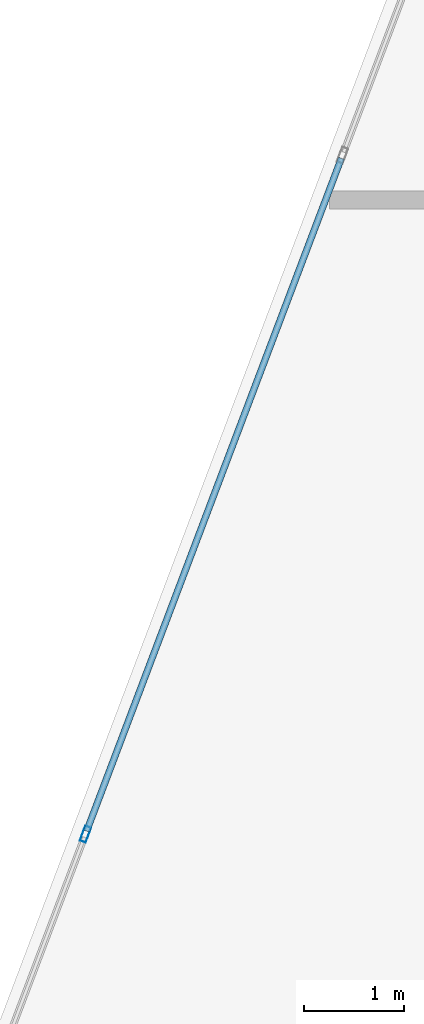
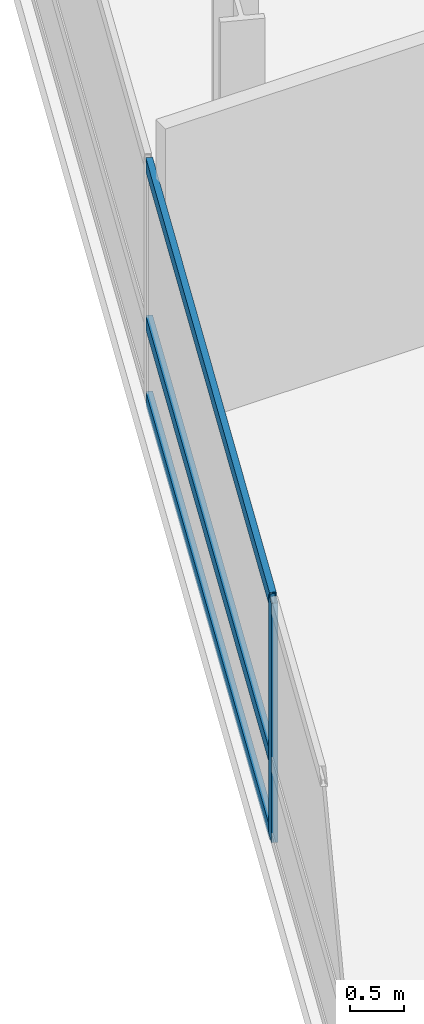
# One storey, part 6 of 25: 4 members, 1 element without a shape of its own.
"""IFC4 building model written with IfcOpenShell, lengths in metres."""

from ifc_helpers import new_model, si_unit, direction, frame, origin, origin_2d, place, context, subcontext, project, spatial, hollow_rectangle, extrude, material, layer, layer_set, material_profile, profile_set, type_object, element, aggregate, save


model = new_model("IFC4")

# Units and contexts
model_context = context("Model", 3, precision=1e-05, world=origin(), true_north=direction((0.0, 1.0)))
body_context = subcontext(model_context, "Body", "Model", "MODEL_VIEW")
ifc_project = project(units=[si_unit("LENGTHUNIT", "METRE"), si_unit("AREAUNIT", "SQUARE_METRE"), si_unit("VOLUMEUNIT", "CUBIC_METRE"), si_unit("PLANEANGLEUNIT", "RADIAN"), si_unit("MASSUNIT", "GRAM", prefix="KILO")], contexts=[model_context])

# Site, building, storey
site_placement = place(None, origin())
site = spatial("IfcSite", under=ifc_project, at=site_placement, CompositionType="ELEMENT")
building_placement = place(site_placement, origin())
building = spatial("IfcBuilding", under=site, at=building_placement, Name="Varnelok Gate Tower", CompositionType="ELEMENT")
storey_placement = place(building_placement, frame((0.0, 0.0, 83.60009765625)))
storey = spatial("IfcBuildingStorey", under=building, at=storey_placement, Name="L20", CompositionType="ELEMENT", Elevation=83.60009765625)

# Curtain wall, members
ifc_material = material(Name="Anodized Aluminum Alloy 6063-T6", Category="aluminium")
ifc_layer = layer(ifc_material, 0.179931640625)
ifc_layer_set = layer_set([ifc_layer], Name="Anodized Aluminum Alloy 6063-T6")
curtain_wall_type = type_object("IfcCurtainWallType", Name="CW3-HOTEL-VISION", PredefinedType="USERDEFINED", material=ifc_layer_set)
curtain_wall_placement = place(storey_placement, origin())
curtain_wall = element("IfcCurtainWall", 1, at=curtain_wall_placement, inside=storey, type_object=curtain_wall_type, Name="L20 West End Vision Curtain Wall", ObjectType="UNITISED CURTAIN WALL", PredefinedType="USERDEFINED")
ifc_material_profile_1 = material_profile(ifc_material, hollow_rectangle(XDim=0.06494140625, YDim=0.159912109375, WallThickness=0.00390625, at=origin_2d()), Name="ALU160X65X4")
ifc_profile_set_1 = profile_set([ifc_material_profile_1], Name="Anodized Aluminum Alloy 6063-T6")
member_type_1 = type_object("IfcMemberType", Name="CW-MULL-160", PredefinedType="MULLION", material=ifc_profile_set_1)
member_1_placement = place(storey_placement, frame((3.072021484375, 35.10693359375, 0.0), z_axis=(0.0, 0.0, 1.0), x_axis=(-0.935221323688, 0.354063660545, 0.0)))
member_1 = element("IfcMember", 2, at=member_1_placement, type_object=member_type_1, Name="CW3 mullion 3", PredefinedType="MULLION", context=body_context, shape_type="SweptSolid", body=[
    extrude(hollow_rectangle(XDim=0.06494140625, YDim=0.159912109375, WallThickness=0.00390625, at=origin_2d()), origin(), (0.0, 0.0, 1.0), 2.72998046875),
])
ifc_material_profile_2 = material_profile(ifc_material, hollow_rectangle(XDim=0.06494140625, YDim=0.159912109375, WallThickness=0.00390625, at=origin_2d()), Name="ALU160X65X4")
ifc_profile_set_2 = profile_set([ifc_material_profile_2], Name="Anodized Aluminum Alloy 6063-T6")
member_type_2 = type_object("IfcMemberType", Name="CW-TRAN-160", PredefinedType="USERDEFINED", material=ifc_profile_set_2)
member_2_placement = place(storey_placement, frame((3.08349609375, 35.13720703125, 0.032470703125), z_axis=(0.354048963644, 0.935226887628, 0.0), x_axis=(-0.935226887628, 0.354048963644, 0.0)))
member_2 = element("IfcMember", 3, at=member_2_placement, type_object=member_type_2, Name="CW3 transom 3.1", ObjectType="TRANSOM", PredefinedType="USERDEFINED", context=body_context, shape_type="SweptSolid", body=[
    extrude(hollow_rectangle(XDim=0.06494140625, YDim=0.159912109375, WallThickness=0.00390625, at=origin_2d()), origin(), (0.0, 0.0, 1.0), 7.175048828125),
])
member_3_placement = place(storey_placement, frame((3.08349609375, 35.13720703125, 0.89990234375), z_axis=(0.354048963644, 0.935226887628, 0.0), x_axis=(-0.935226887628, 0.354048963644, 0.0)))
member_3 = element("IfcMember", 4, at=member_3_placement, type_object=member_type_2, Name="CW3 transom 3.2", ObjectType="TRANSOM", PredefinedType="USERDEFINED", context=body_context, shape_type="SweptSolid", body=[
    extrude(hollow_rectangle(XDim=0.06494140625, YDim=0.159912109375, WallThickness=0.00390625, at=origin_2d()), origin(), (0.0, 0.0, 1.0), 7.175048828125),
])
member_4_placement = place(storey_placement, frame((3.08349609375, 35.13720703125, 2.697509765625), z_axis=(0.354048963644, 0.935226887628, 0.0), x_axis=(-0.935226887628, 0.354048963644, 0.0)))
member_4 = element("IfcMember", 5, at=member_4_placement, type_object=member_type_2, Name="CW3 transom 3.3", ObjectType="TRANSOM", PredefinedType="USERDEFINED", context=body_context, shape_type="SweptSolid", body=[
    extrude(hollow_rectangle(XDim=0.06494140625, YDim=0.159912109375, WallThickness=0.00390625, at=origin_2d()), origin(), (0.0, 0.0, 1.0), 7.175048828125),
])
aggregate(curtain_wall, [member_1, member_2, member_3, member_4])

save(model, "model.ifc")
